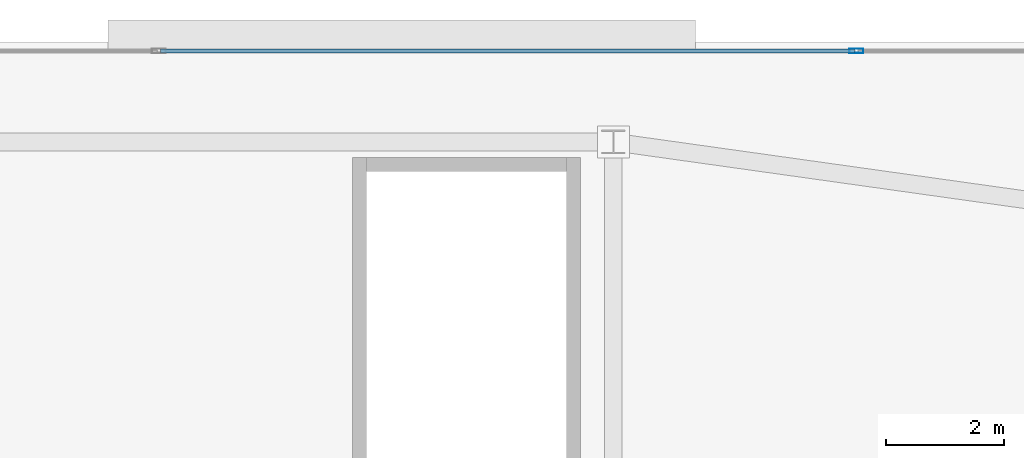
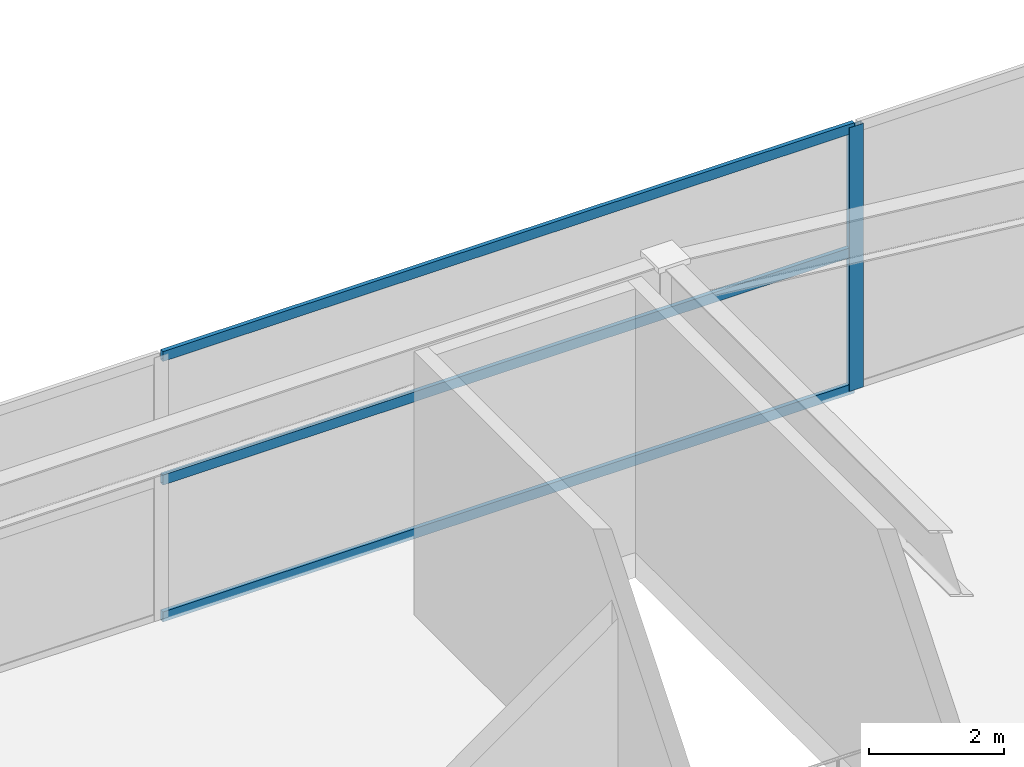
# One storey, part 20 of 36: 4 members, 1 element without a shape of its own.
"""IFC4 building model written with IfcOpenShell, lengths in metres."""

from ifc_helpers import new_model, si_unit, direction, frame, origin, origin_2d, place, context, subcontext, project, spatial, hollow_rectangle, extrude, material, layer, layer_set, material_profile, profile_set, type_object, element, aggregate, save


model = new_model("IFC4")

# Units and contexts
model_context = context("Model", 3, precision=1e-05, world=origin(), true_north=direction((0.0, 1.0)))
body_context = subcontext(model_context, "Body", "Model", "MODEL_VIEW")
ifc_project = project(units=[si_unit("LENGTHUNIT", "METRE"), si_unit("AREAUNIT", "SQUARE_METRE"), si_unit("VOLUMEUNIT", "CUBIC_METRE"), si_unit("PLANEANGLEUNIT", "RADIAN"), si_unit("MASSUNIT", "GRAM", prefix="KILO")], contexts=[model_context])

# Site, building, storey
site_placement = place(None, origin())
site = spatial("IfcSite", under=ifc_project, at=site_placement, CompositionType="ELEMENT")
building_placement = place(site_placement, origin())
building = spatial("IfcBuilding", under=site, at=building_placement, Name="Calvorn Quay Hotel", CompositionType="ELEMENT")
storey_placement = place(building_placement, frame((0.0, 0.0, 22.0)))
storey = spatial("IfcBuildingStorey", under=building, at=storey_placement, Name="L04", CompositionType="ELEMENT", Elevation=22.0)

# Curtain wall, members
ifc_material_1 = material(Name="Pale Anodised Aluminium and Low-E Glass", Category="aluminium")
ifc_layer = layer(ifc_material_1, 0.219970703125)
ifc_layer_set = layer_set([ifc_layer], Name="CW-SYS-POD")
curtain_wall_type = type_object("IfcCurtainWallType", Name="CW-SYS-POD", PredefinedType="NOTDEFINED", material=ifc_layer_set)
curtain_wall_placement = place(storey_placement, origin())
curtain_wall = element("IfcCurtainWall", 1, at=curtain_wall_placement, inside=storey, type_object=curtain_wall_type, Name="Podium Curtain Wall L04-N1", PredefinedType="NOTDEFINED")
ifc_material_2 = material(Name="Pale Anodised Aluminium 6063-T6", Category="aluminium")
ifc_material_profile_1 = material_profile(ifc_material_2, hollow_rectangle(XDim=0.080078125, YDim=0.239990234375, WallThickness=0.0048828125, at=origin_2d()), Name="ALU-M240x80x5")
ifc_profile_set_1 = profile_set([ifc_material_profile_1], Name="Pale Anodised Aluminium 6063-T6")
member_type_1 = type_object("IfcMemberType", Name="CW-SYS-POD-MUL", PredefinedType="MULLION", material=ifc_profile_set_1)
member_1_placement = place(storey_placement, frame((61.7333984375, 55.35009765625, 0.0), z_axis=(0.0, 0.0, 1.0), x_axis=(0.0, 1.0, 0.0)))
member_1 = element("IfcMember", 2, at=member_1_placement, type_object=member_type_1, Name="CW-L04-N1 mullion 6", PredefinedType="MULLION", context=body_context, shape_type="SweptSolid", body=[
    extrude(hollow_rectangle(XDim=0.080078125, YDim=0.239990234375, WallThickness=0.0048828125, at=origin_2d()), origin(), (0.0, 0.0, 1.0), 4.760009765625),
])
ifc_material_3 = material(Name="Pale Anodised Aluminium 6063-T6", Category="aluminium")
ifc_material_profile_2 = material_profile(ifc_material_3, hollow_rectangle(XDim=0.070068359375, YDim=0.179931640625, WallThickness=0.00390625, at=origin_2d()), Name="ALU-T180x70x4")
ifc_profile_set_2 = profile_set([ifc_material_profile_2], Name="Pale Anodised Aluminium 6063-T6")
member_type_2 = type_object("IfcMemberType", Name="CW-SYS-POD-TRN", PredefinedType="USERDEFINED", material=ifc_profile_set_2)
member_2_placement = place(storey_placement, frame((49.896728515625, 55.35009765625, 0.030029296875), z_axis=(1.0, 0.0, 0.0), x_axis=(0.0, 1.0, 0.0)))
member_2 = element("IfcMember", 3, at=member_2_placement, type_object=member_type_2, Name="CW-L04-N1 transom 5.1", ObjectType="TRANSOM", PredefinedType="USERDEFINED", context=body_context, shape_type="SweptSolid", body=[
    extrude(hollow_rectangle(XDim=0.070068359375, YDim=0.179931640625, WallThickness=0.00390625, at=origin_2d()), origin(), (0.0, 0.0, 1.0), 11.806640625),
])
member_3_placement = place(storey_placement, frame((49.896728515625, 55.35009765625, 2.5), z_axis=(1.0, 0.0, 0.0), x_axis=(0.0, 1.0, 0.0)))
member_3 = element("IfcMember", 4, at=member_3_placement, type_object=member_type_2, Name="CW-L04-N1 transom 5.2", ObjectType="TRANSOM", PredefinedType="USERDEFINED", context=body_context, shape_type="SweptSolid", body=[
    extrude(hollow_rectangle(XDim=0.070068359375, YDim=0.179931640625, WallThickness=0.00390625, at=origin_2d()), origin(), (0.0, 0.0, 1.0), 11.806640625),
])
member_4_placement = place(storey_placement, frame((49.896728515625, 55.35009765625, 4.72998046875), z_axis=(1.0, 0.0, 0.0), x_axis=(0.0, 1.0, 0.0)))
member_4 = element("IfcMember", 5, at=member_4_placement, type_object=member_type_2, Name="CW-L04-N1 transom 5.3", ObjectType="TRANSOM", PredefinedType="USERDEFINED", context=body_context, shape_type="SweptSolid", body=[
    extrude(hollow_rectangle(XDim=0.070068359375, YDim=0.179931640625, WallThickness=0.00390625, at=origin_2d()), origin(), (0.0, 0.0, 1.0), 11.806640625),
])
aggregate(curtain_wall, [member_1, member_2, member_3, member_4])

save(model, "model.ifc")
